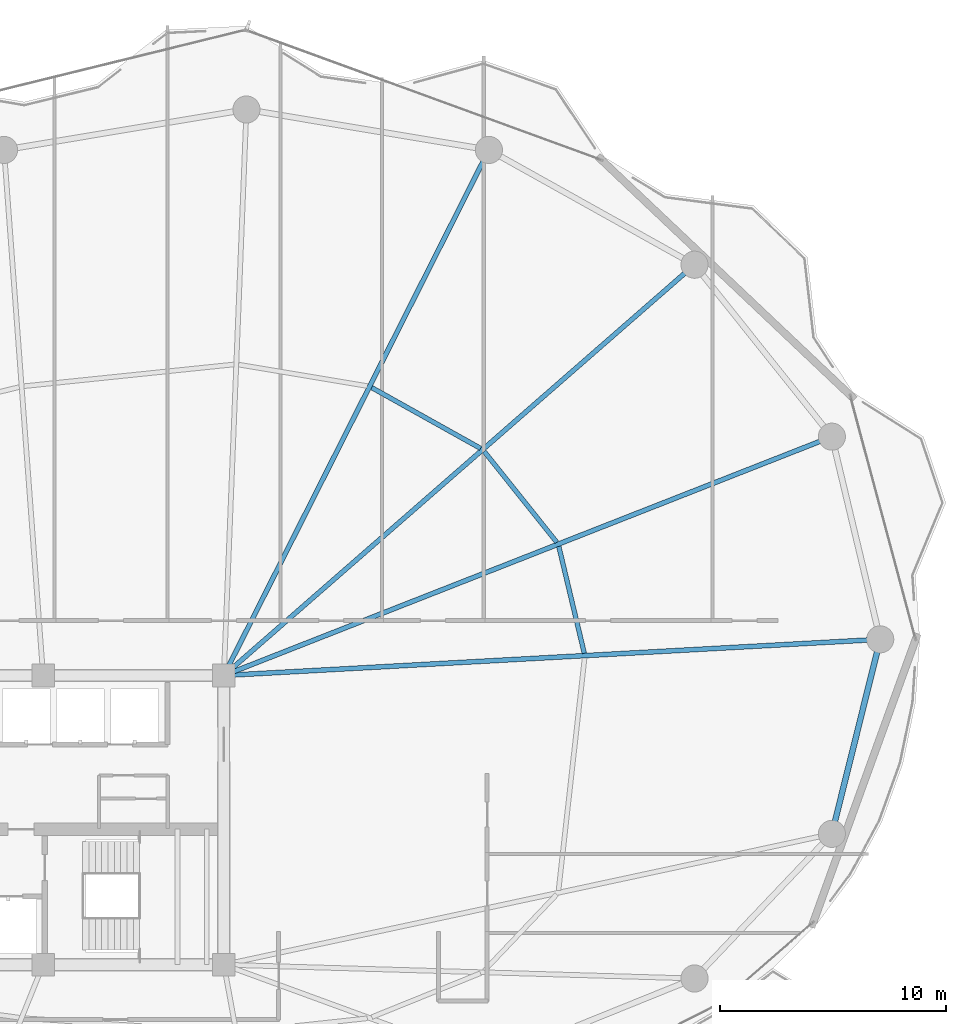
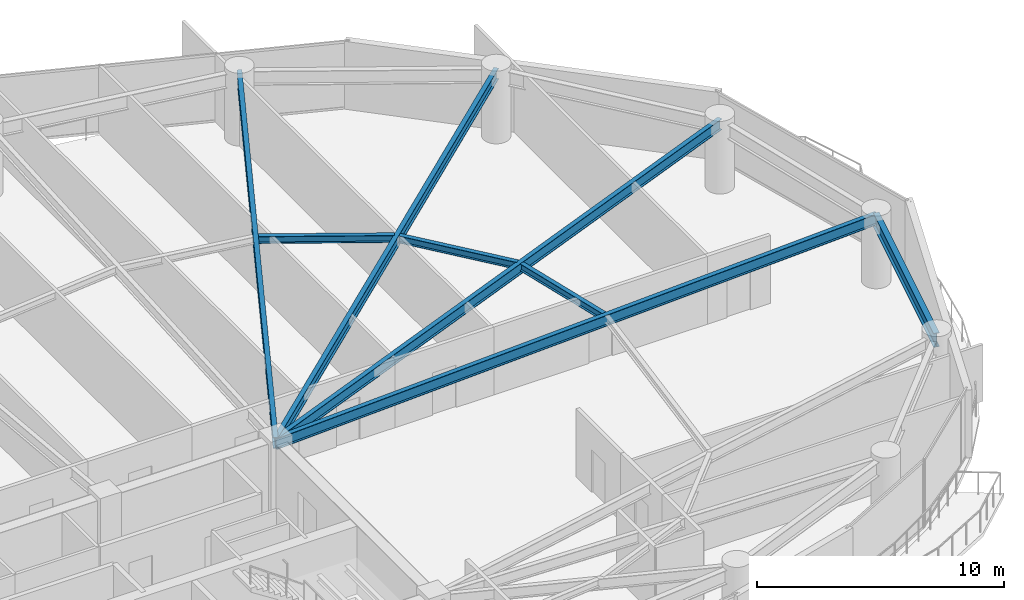
# One storey, part 14 of 28: 8 beams.
"""IFC4 building model written with IfcOpenShell, lengths in metres."""

from ifc_helpers import new_model, si_unit, direction, frame, origin, origin_2d, place, context, subcontext, project, spatial, i_section, extrude, material, material_profile, profile_set, type_object, element, save


model = new_model("IFC4")

# Units and contexts
model_context = context("Model", 3, precision=1e-05, world=origin(), true_north=direction((0.0, 1.0)))
body_context = subcontext(model_context, "Body", "Model", "MODEL_VIEW")
ifc_project = project(units=[si_unit("LENGTHUNIT", "METRE"), si_unit("AREAUNIT", "SQUARE_METRE"), si_unit("VOLUMEUNIT", "CUBIC_METRE"), si_unit("PLANEANGLEUNIT", "RADIAN"), si_unit("MASSUNIT", "GRAM", prefix="KILO")], contexts=[model_context])

# Site, building, storey
site_placement = place(None, origin())
site = spatial("IfcSite", under=ifc_project, at=site_placement, CompositionType="ELEMENT")
building_placement = place(site_placement, origin())
building = spatial("IfcBuilding", under=site, at=building_placement, Name="Kazevale Care Tower and Concert Hall", CompositionType="ELEMENT")
storey_placement = place(building_placement, frame((0.0, 0.0, 109.800048828125)))
storey = spatial("IfcBuildingStorey", under=building, at=storey_placement, Name="L28", CompositionType="ELEMENT", Elevation=109.800048828125)

# Beams
ifc_material = material(Name="Steel ASTM A572 Gr 50", Category="steel")
ifc_material_profile_1 = material_profile(ifc_material, i_section(OverallWidth=0.2119140625, OverallDepth=0.5439453125, WebThickness=0.01318359375, FlangeThickness=0.021240234375, at=origin_2d()), Name="W530x123")
ifc_profile_set_1 = profile_set([ifc_material_profile_1], Name="Steel ASTM A572 Gr 50")
beam_type_1 = type_object("IfcBeamType", Name="Radial Floor Girder W530x123", PredefinedType="BEAM", material=ifc_profile_set_1)
beam_1_placement = place(storey_placement, frame((44.0, 36.39990234375, 3.087890625), z_axis=(0.998486500016, 0.054997357076, 0.0), x_axis=(-0.054997357076, 0.998486500016, 0.0)))
element("IfcBeam", 1, at=beam_1_placement, inside=storey, type_object=beam_type_1, Name="beam:L28:rad:01", PredefinedType="BEAM", context=body_context, shape_type="SweptSolid", body=[
    extrude(i_section(OverallWidth=0.2119140625, OverallDepth=0.5439453125, WebThickness=0.01318359375, FlangeThickness=0.021240234375, at=origin_2d()), origin(), (0.0, 0.0, 1.0), 29.093994140625),
])
beam_2_placement = place(storey_placement, frame((44.0, 36.39990234375, 3.087890625), z_axis=(0.930771301513, 0.36560194786, 0.0), x_axis=(-0.36560194786, 0.930771301513, 0.0)))
element("IfcBeam", 2, at=beam_2_placement, inside=storey, type_object=beam_type_1, Name="beam:L28:rad:02", PredefinedType="BEAM", context=body_context, shape_type="SweptSolid", body=[
    extrude(i_section(OverallWidth=0.2119140625, OverallDepth=0.5439453125, WebThickness=0.01318359375, FlangeThickness=0.021240234375, at=origin_2d()), origin(), (0.0, 0.0, 1.0), 28.911376953125),
])
beam_3_placement = place(storey_placement, frame((44.0, 36.39990234375, 3.087890625), z_axis=(0.753403181998, 0.657558853149, 0.0), x_axis=(-0.657558853149, 0.753403181998, 0.0)))
element("IfcBeam", 3, at=beam_3_placement, inside=storey, type_object=beam_type_1, Name="beam:L28:rad:03", PredefinedType="BEAM", context=body_context, shape_type="SweptSolid", body=[
    extrude(i_section(OverallWidth=0.2119140625, OverallDepth=0.5439453125, WebThickness=0.01318359375, FlangeThickness=0.021240234375, at=origin_2d()), origin(), (0.0, 0.0, 1.0), 27.64794921875),
])
beam_4_placement = place(storey_placement, frame((44.0, 36.39990234375, 3.087890625), z_axis=(0.450281187568, 0.892886808124, 0.0), x_axis=(-0.892886808124, 0.450281187568, 0.0)))
element("IfcBeam", 4, at=beam_4_placement, inside=storey, type_object=beam_type_1, Name="beam:L28:rad:04", PredefinedType="BEAM", context=body_context, shape_type="SweptSolid", body=[
    extrude(i_section(OverallWidth=0.2119140625, OverallDepth=0.5439453125, WebThickness=0.01318359375, FlangeThickness=0.021240234375, at=origin_2d()), origin(), (0.0, 0.0, 1.0), 26.05029296875),
])
ifc_material_profile_2 = material_profile(ifc_material, i_section(OverallWidth=0.205078125, OverallDepth=0.35400390625, WebThickness=0.009521484375, FlangeThickness=0.016845703125, at=origin_2d()), Name="W360x79")
ifc_profile_set_2 = profile_set([ifc_material_profile_2], Name="Steel ASTM A572 Gr 50")
beam_type_2 = type_object("IfcBeamType", Name="Secondary Floor Joist W360x79", PredefinedType="JOIST", material=ifc_profile_set_2)
beam_5_placement = place(storey_placement, frame((59.952880859375, 37.382080078125, 3.182861328125), z_axis=(-0.232005223279, 0.972714540023, 0.0), x_axis=(-0.972714540023, -0.232005223279, 0.0)))
element("IfcBeam", 5, at=beam_5_placement, inside=storey, type_object=beam_type_2, Name="beam:L28:joist:01", PredefinedType="JOIST", context=body_context, shape_type="SweptSolid", body=[
    extrude(i_section(OverallWidth=0.205078125, OverallDepth=0.35400390625, WebThickness=0.009521484375, FlangeThickness=0.016845703125, at=origin_2d()), origin(), (0.0, 0.0, 1.0), 4.861572265625),
])
beam_6_placement = place(storey_placement, frame((58.735107421875, 42.2958984375, 3.182861328125), z_axis=(-0.624261115922, 0.781215757104, 0.0), x_axis=(-0.781215757104, -0.624261115922, 0.0)))
element("IfcBeam", 6, at=beam_6_placement, inside=storey, type_object=beam_type_2, Name="beam:L28:joist:02", PredefinedType="JOIST", context=body_context, shape_type="SweptSolid", body=[
    extrude(i_section(OverallWidth=0.205078125, OverallDepth=0.35400390625, WebThickness=0.009521484375, FlangeThickness=0.016845703125, at=origin_2d()), origin(), (0.0, 0.0, 1.0), 5.147216796875),
])
beam_7_placement = place(storey_placement, frame((55.364990234375, 46.449951171875, 3.182861328125), z_axis=(-0.873137755824, 0.487473547338, 0.0), x_axis=(-0.487473547338, -0.873137755824, 0.0)))
element("IfcBeam", 7, at=beam_7_placement, inside=storey, type_object=beam_type_2, Name="beam:L28:joist:03", PredefinedType="JOIST", context=body_context, shape_type="SweptSolid", body=[
    extrude(i_section(OverallWidth=0.205078125, OverallDepth=0.35400390625, WebThickness=0.009521484375, FlangeThickness=0.016845703125, at=origin_2d()), origin(), (0.0, 0.0, 1.0), 5.522705078125),
])
ifc_material_profile_3 = material_profile(ifc_material, i_section(OverallWidth=0.256103515625, OverallDepth=0.693115234375, WebThickness=0.014404296875, FlangeThickness=0.023681640625, at=origin_2d()), Name="W690x170")
ifc_profile_set_3 = profile_set([ifc_material_profile_3], Name="Steel ASTM A572 Gr 50")
beam_type_3 = type_object("IfcBeamType", Name="Waist Ring Beam W690x170", PredefinedType="BEAM", material=ifc_profile_set_3)
beam_8_placement = place(storey_placement, frame((70.909912109375, 29.389892578125, 3.013427734375), z_axis=(0.241221022882, 0.970470204653, 0.0), x_axis=(-0.970470204653, 0.241221022882, 0.0)))
element("IfcBeam", 8, at=beam_8_placement, inside=storey, type_object=beam_type_3, Name="beam:L28:ring:16", PredefinedType="BEAM", context=body_context, shape_type="SweptSolid", body=[
    extrude(i_section(OverallWidth=0.256103515625, OverallDepth=0.693115234375, WebThickness=0.014404296875, FlangeThickness=0.023681640625, at=origin_2d()), origin(), (0.0, 0.0, 1.0), 8.8720703125),
])

save(model, "model.ifc")
